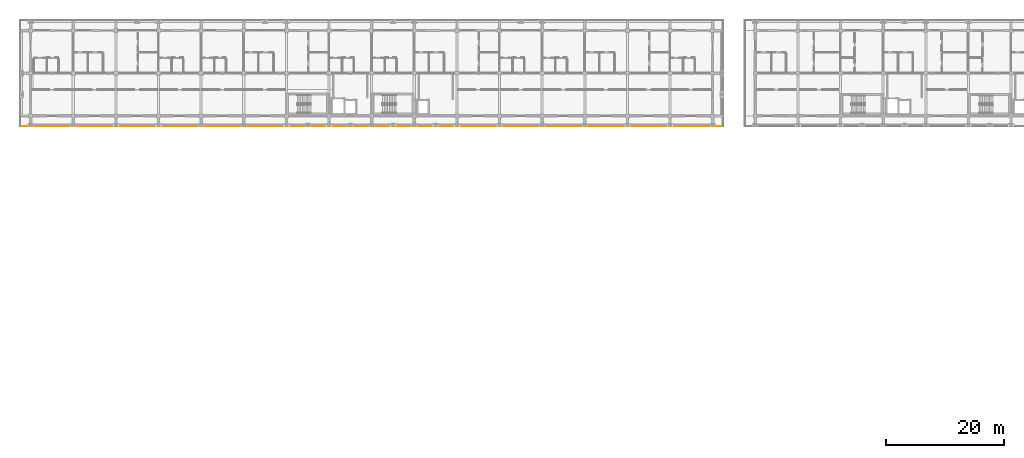
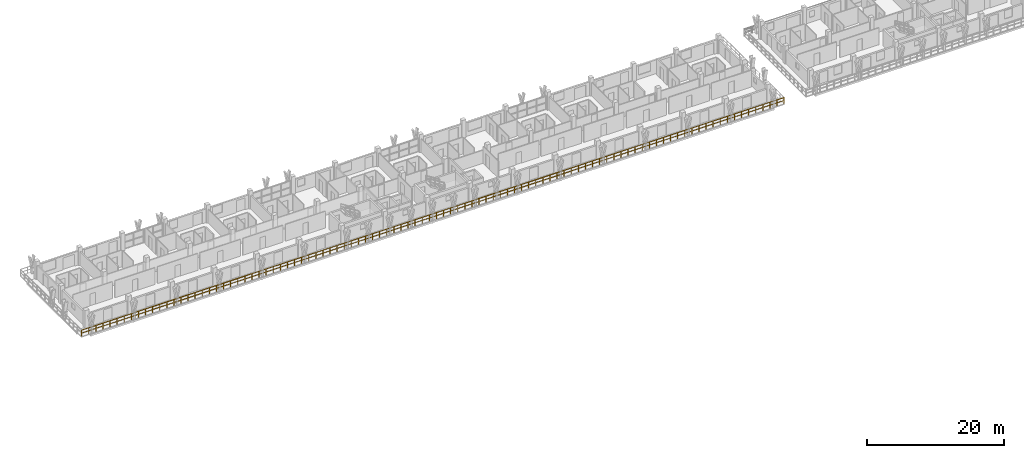
# One storey, part 67 of 76: 1 railing.
"""IFC4 building model written with IfcOpenShell, lengths in metres."""

from ifc_helpers import new_model, si_unit, direction, frame, origin, origin_2d, place, context, subcontext, project, spatial, rectangle, extrude, material, type_object, element, save


model = new_model("IFC4")

# Units and contexts
model_context = context("Model", 3, precision=1e-05, world=origin(), true_north=direction((0.0, 1.0)))
body_context = subcontext(model_context, "Body", "Model", "MODEL_VIEW")
ifc_project = project(units=[si_unit("LENGTHUNIT", "METRE"), si_unit("AREAUNIT", "SQUARE_METRE"), si_unit("VOLUMEUNIT", "CUBIC_METRE"), si_unit("PLANEANGLEUNIT", "RADIAN"), si_unit("MASSUNIT", "GRAM", prefix="KILO")], contexts=[model_context])

# Site, building, storey
site_placement = place(None, origin())
site = spatial("IfcSite", under=ifc_project, at=site_placement, CompositionType="ELEMENT")
building_placement = place(site_placement, origin())
building = spatial("IfcBuilding", under=site, at=building_placement, Name="Suanplinth Sawtooth Commons", CompositionType="ELEMENT")
storey_placement = place(building_placement, frame((0.0, 0.0, 12.199951171875)))
storey = spatial("IfcBuildingStorey", under=building, at=storey_placement, Name="L03", CompositionType="ELEMENT", Elevation=12.199951171875)

# Railing
ifc_material = material(Name="Powder-coated galvanized steel", Category="steel")
railing_type = type_object("IfcRailingType", Name="GR-01", PredefinedType="BALUSTRADE", material=ifc_material)
railing_placement = place(storey_placement, frame((116.93994140625, 106.260009765625, 0.0)))
element("IfcRailing", 1, at=railing_placement, inside=storey, type_object=railing_type, Name="L03 Block A Perimeter Balustrade 4", PredefinedType="BALUSTRADE", context=body_context, shape_type="SweptSolid", body=[
    extrude(rectangle(XDim=0.048095703125, YDim=0.048095703125, at=origin_2d()), frame((0.0, 0.0, 1.09619140625), z_axis=(-1.0, 0.0, 0.0), x_axis=(0.0, -1.0, 0.0)), (0.0, 0.0, 1.0), 118.679931640625),
    extrude(rectangle(XDim=0.03369140625, YDim=0.03369140625, at=origin_2d()), frame((0.0, 0.0, 0.56005859375), z_axis=(-1.0, 0.0, 0.0), x_axis=(0.0, -1.0, 0.0)), (0.0, 0.0, 1.0), 118.679931640625),
    extrude(rectangle(XDim=0.0419921875, YDim=0.0419921875, at=origin_2d()), origin(), (0.0, 0.0, 1.0), 1.072021484375),
    extrude(rectangle(XDim=0.0419921875, YDim=0.0419921875, at=origin_2d()), frame((-1.19873046875, 0.0, 0.0)), (0.0, 0.0, 1.0), 1.072021484375),
    extrude(rectangle(XDim=0.0419921875, YDim=0.0419921875, at=origin_2d()), frame((-2.3974609375, 0.0, 0.0)), (0.0, 0.0, 1.0), 1.072021484375),
    extrude(rectangle(XDim=0.0419921875, YDim=0.0419921875, at=origin_2d()), frame((-3.596435546875, 0.0, 0.0)), (0.0, 0.0, 1.0), 1.072021484375),
    extrude(rectangle(XDim=0.0419921875, YDim=0.0419921875, at=origin_2d()), frame((-4.795166015625, 0.0, 0.0)), (0.0, 0.0, 1.0), 1.072021484375),
    extrude(rectangle(XDim=0.0419921875, YDim=0.0419921875, at=origin_2d()), frame((-5.993896484375, 0.0, 0.0)), (0.0, 0.0, 1.0), 1.072021484375),
    extrude(rectangle(XDim=0.0419921875, YDim=0.0419921875, at=origin_2d()), frame((-7.192626953125, 0.0, 0.0)), (0.0, 0.0, 1.0), 1.072021484375),
    extrude(rectangle(XDim=0.0419921875, YDim=0.0419921875, at=origin_2d()), frame((-8.3916015625, 0.0, 0.0)), (0.0, 0.0, 1.0), 1.072021484375),
    extrude(rectangle(XDim=0.0419921875, YDim=0.0419921875, at=origin_2d()), frame((-9.59033203125, 0.0, 0.0)), (0.0, 0.0, 1.0), 1.072021484375),
    extrude(rectangle(XDim=0.0419921875, YDim=0.0419921875, at=origin_2d()), frame((-10.7890625, 0.0, 0.0)), (0.0, 0.0, 1.0), 1.072021484375),
    extrude(rectangle(XDim=0.0419921875, YDim=0.0419921875, at=origin_2d()), frame((-11.98779296875, 0.0, 0.0)), (0.0, 0.0, 1.0), 1.072021484375),
    extrude(rectangle(XDim=0.0419921875, YDim=0.0419921875, at=origin_2d()), frame((-13.186767578125, 0.0, 0.0)), (0.0, 0.0, 1.0), 1.072021484375),
    extrude(rectangle(XDim=0.0419921875, YDim=0.0419921875, at=origin_2d()), frame((-14.385498046875, 0.0, 0.0)), (0.0, 0.0, 1.0), 1.072021484375),
    extrude(rectangle(XDim=0.0419921875, YDim=0.0419921875, at=origin_2d()), frame((-15.584228515625, 0.0, 0.0)), (0.0, 0.0, 1.0), 1.072021484375),
    extrude(rectangle(XDim=0.0419921875, YDim=0.0419921875, at=origin_2d()), frame((-16.782958984375, 0.0, 0.0)), (0.0, 0.0, 1.0), 1.072021484375),
    extrude(rectangle(XDim=0.0419921875, YDim=0.0419921875, at=origin_2d()), frame((-17.981689453125, 0.0, 0.0)), (0.0, 0.0, 1.0), 1.072021484375),
    extrude(rectangle(XDim=0.0419921875, YDim=0.0419921875, at=origin_2d()), frame((-19.1806640625, 0.0, 0.0)), (0.0, 0.0, 1.0), 1.072021484375),
    extrude(rectangle(XDim=0.0419921875, YDim=0.0419921875, at=origin_2d()), frame((-20.37939453125, 0.0, 0.0)), (0.0, 0.0, 1.0), 1.072021484375),
    extrude(rectangle(XDim=0.0419921875, YDim=0.0419921875, at=origin_2d()), frame((-21.578125, 0.0, 0.0)), (0.0, 0.0, 1.0), 1.072021484375),
    extrude(rectangle(XDim=0.0419921875, YDim=0.0419921875, at=origin_2d()), frame((-22.77685546875, 0.0, 0.0)), (0.0, 0.0, 1.0), 1.072021484375),
    extrude(rectangle(XDim=0.0419921875, YDim=0.0419921875, at=origin_2d()), frame((-23.975830078125, 0.0, 0.0)), (0.0, 0.0, 1.0), 1.072021484375),
    extrude(rectangle(XDim=0.0419921875, YDim=0.0419921875, at=origin_2d()), frame((-25.174560546875, 0.0, 0.0)), (0.0, 0.0, 1.0), 1.072021484375),
    extrude(rectangle(XDim=0.0419921875, YDim=0.0419921875, at=origin_2d()), frame((-26.373291015625, 0.0, 0.0)), (0.0, 0.0, 1.0), 1.072021484375),
    extrude(rectangle(XDim=0.0419921875, YDim=0.0419921875, at=origin_2d()), frame((-27.572021484375, 0.0, 0.0)), (0.0, 0.0, 1.0), 1.072021484375),
    extrude(rectangle(XDim=0.0419921875, YDim=0.0419921875, at=origin_2d()), frame((-28.77099609375, 0.0, 0.0)), (0.0, 0.0, 1.0), 1.072021484375),
    extrude(rectangle(XDim=0.0419921875, YDim=0.0419921875, at=origin_2d()), frame((-29.9697265625, 0.0, 0.0)), (0.0, 0.0, 1.0), 1.072021484375),
    extrude(rectangle(XDim=0.0419921875, YDim=0.0419921875, at=origin_2d()), frame((-31.16845703125, 0.0, 0.0)), (0.0, 0.0, 1.0), 1.072021484375),
    extrude(rectangle(XDim=0.0419921875, YDim=0.0419921875, at=origin_2d()), frame((-32.3671875, 0.0, 0.0)), (0.0, 0.0, 1.0), 1.072021484375),
    extrude(rectangle(XDim=0.0419921875, YDim=0.0419921875, at=origin_2d()), frame((-33.566162109375, 0.0, 0.0)), (0.0, 0.0, 1.0), 1.072021484375),
    extrude(rectangle(XDim=0.0419921875, YDim=0.0419921875, at=origin_2d()), frame((-34.764892578125, 0.0, 0.0)), (0.0, 0.0, 1.0), 1.072021484375),
    extrude(rectangle(XDim=0.0419921875, YDim=0.0419921875, at=origin_2d()), frame((-35.963623046875, 0.0, 0.0)), (0.0, 0.0, 1.0), 1.072021484375),
    extrude(rectangle(XDim=0.0419921875, YDim=0.0419921875, at=origin_2d()), frame((-37.162353515625, 0.0, 0.0)), (0.0, 0.0, 1.0), 1.072021484375),
    extrude(rectangle(XDim=0.0419921875, YDim=0.0419921875, at=origin_2d()), frame((-38.361083984375, 0.0, 0.0)), (0.0, 0.0, 1.0), 1.072021484375),
    extrude(rectangle(XDim=0.0419921875, YDim=0.0419921875, at=origin_2d()), frame((-39.56005859375, 0.0, 0.0)), (0.0, 0.0, 1.0), 1.072021484375),
    extrude(rectangle(XDim=0.0419921875, YDim=0.0419921875, at=origin_2d()), frame((-40.7587890625, 0.0, 0.0)), (0.0, 0.0, 1.0), 1.072021484375),
    extrude(rectangle(XDim=0.0419921875, YDim=0.0419921875, at=origin_2d()), frame((-41.95751953125, 0.0, 0.0)), (0.0, 0.0, 1.0), 1.072021484375),
    extrude(rectangle(XDim=0.0419921875, YDim=0.0419921875, at=origin_2d()), frame((-43.15625, 0.0, 0.0)), (0.0, 0.0, 1.0), 1.072021484375),
    extrude(rectangle(XDim=0.0419921875, YDim=0.0419921875, at=origin_2d()), frame((-44.355224609375, 0.0, 0.0)), (0.0, 0.0, 1.0), 1.072021484375),
    extrude(rectangle(XDim=0.0419921875, YDim=0.0419921875, at=origin_2d()), frame((-45.553955078125, 0.0, 0.0)), (0.0, 0.0, 1.0), 1.072021484375),
    extrude(rectangle(XDim=0.0419921875, YDim=0.0419921875, at=origin_2d()), frame((-46.752685546875, 0.0, 0.0)), (0.0, 0.0, 1.0), 1.072021484375),
    extrude(rectangle(XDim=0.0419921875, YDim=0.0419921875, at=origin_2d()), frame((-47.951416015625, 0.0, 0.0)), (0.0, 0.0, 1.0), 1.072021484375),
    extrude(rectangle(XDim=0.0419921875, YDim=0.0419921875, at=origin_2d()), frame((-49.150390625, 0.0, 0.0)), (0.0, 0.0, 1.0), 1.072021484375),
    extrude(rectangle(XDim=0.0419921875, YDim=0.0419921875, at=origin_2d()), frame((-50.34912109375, 0.0, 0.0)), (0.0, 0.0, 1.0), 1.072021484375),
    extrude(rectangle(XDim=0.0419921875, YDim=0.0419921875, at=origin_2d()), frame((-51.5478515625, 0.0, 0.0)), (0.0, 0.0, 1.0), 1.072021484375),
    extrude(rectangle(XDim=0.0419921875, YDim=0.0419921875, at=origin_2d()), frame((-52.74658203125, 0.0, 0.0)), (0.0, 0.0, 1.0), 1.072021484375),
    extrude(rectangle(XDim=0.0419921875, YDim=0.0419921875, at=origin_2d()), frame((-53.9453125, 0.0, 0.0)), (0.0, 0.0, 1.0), 1.072021484375),
    extrude(rectangle(XDim=0.0419921875, YDim=0.0419921875, at=origin_2d()), frame((-55.144287109375, 0.0, 0.0)), (0.0, 0.0, 1.0), 1.072021484375),
    extrude(rectangle(XDim=0.0419921875, YDim=0.0419921875, at=origin_2d()), frame((-56.343017578125, 0.0, 0.0)), (0.0, 0.0, 1.0), 1.072021484375),
    extrude(rectangle(XDim=0.0419921875, YDim=0.0419921875, at=origin_2d()), frame((-57.541748046875, 0.0, 0.0)), (0.0, 0.0, 1.0), 1.072021484375),
    extrude(rectangle(XDim=0.0419921875, YDim=0.0419921875, at=origin_2d()), frame((-58.740478515625, 0.0, 0.0)), (0.0, 0.0, 1.0), 1.072021484375),
    extrude(rectangle(XDim=0.0419921875, YDim=0.0419921875, at=origin_2d()), frame((-59.939453125, 0.0, 0.0)), (0.0, 0.0, 1.0), 1.072021484375),
    extrude(rectangle(XDim=0.0419921875, YDim=0.0419921875, at=origin_2d()), frame((-61.13818359375, 0.0, 0.0)), (0.0, 0.0, 1.0), 1.072021484375),
    extrude(rectangle(XDim=0.0419921875, YDim=0.0419921875, at=origin_2d()), frame((-62.3369140625, 0.0, 0.0)), (0.0, 0.0, 1.0), 1.072021484375),
    extrude(rectangle(XDim=0.0419921875, YDim=0.0419921875, at=origin_2d()), frame((-63.53564453125, 0.0, 0.0)), (0.0, 0.0, 1.0), 1.072021484375),
    extrude(rectangle(XDim=0.0419921875, YDim=0.0419921875, at=origin_2d()), frame((-64.734619140625, 0.0, 0.0)), (0.0, 0.0, 1.0), 1.072021484375),
    extrude(rectangle(XDim=0.0419921875, YDim=0.0419921875, at=origin_2d()), frame((-65.933349609375, 0.0, 0.0)), (0.0, 0.0, 1.0), 1.072021484375),
    extrude(rectangle(XDim=0.0419921875, YDim=0.0419921875, at=origin_2d()), frame((-67.132080078125, 0.0, 0.0)), (0.0, 0.0, 1.0), 1.072021484375),
    extrude(rectangle(XDim=0.0419921875, YDim=0.0419921875, at=origin_2d()), frame((-68.330810546875, 0.0, 0.0)), (0.0, 0.0, 1.0), 1.072021484375),
    extrude(rectangle(XDim=0.0419921875, YDim=0.0419921875, at=origin_2d()), frame((-69.529541015625, 0.0, 0.0)), (0.0, 0.0, 1.0), 1.072021484375),
    extrude(rectangle(XDim=0.0419921875, YDim=0.0419921875, at=origin_2d()), frame((-70.728515625, 0.0, 0.0)), (0.0, 0.0, 1.0), 1.072021484375),
    extrude(rectangle(XDim=0.0419921875, YDim=0.0419921875, at=origin_2d()), frame((-71.92724609375, 0.0, 0.0)), (0.0, 0.0, 1.0), 1.072021484375),
    extrude(rectangle(XDim=0.0419921875, YDim=0.0419921875, at=origin_2d()), frame((-73.1259765625, 0.0, 0.0)), (0.0, 0.0, 1.0), 1.072021484375),
    extrude(rectangle(XDim=0.0419921875, YDim=0.0419921875, at=origin_2d()), frame((-74.32470703125, 0.0, 0.0)), (0.0, 0.0, 1.0), 1.072021484375),
    extrude(rectangle(XDim=0.0419921875, YDim=0.0419921875, at=origin_2d()), frame((-75.523681640625, 0.0, 0.0)), (0.0, 0.0, 1.0), 1.072021484375),
    extrude(rectangle(XDim=0.0419921875, YDim=0.0419921875, at=origin_2d()), frame((-76.722412109375, 0.0, 0.0)), (0.0, 0.0, 1.0), 1.072021484375),
    extrude(rectangle(XDim=0.0419921875, YDim=0.0419921875, at=origin_2d()), frame((-77.921142578125, 0.0, 0.0)), (0.0, 0.0, 1.0), 1.072021484375),
    extrude(rectangle(XDim=0.0419921875, YDim=0.0419921875, at=origin_2d()), frame((-79.119873046875, 0.0, 0.0)), (0.0, 0.0, 1.0), 1.072021484375),
    extrude(rectangle(XDim=0.0419921875, YDim=0.0419921875, at=origin_2d()), frame((-80.31884765625, 0.0, 0.0)), (0.0, 0.0, 1.0), 1.072021484375),
    extrude(rectangle(XDim=0.0419921875, YDim=0.0419921875, at=origin_2d()), frame((-81.517578125, 0.0, 0.0)), (0.0, 0.0, 1.0), 1.072021484375),
    extrude(rectangle(XDim=0.0419921875, YDim=0.0419921875, at=origin_2d()), frame((-82.71630859375, 0.0, 0.0)), (0.0, 0.0, 1.0), 1.072021484375),
    extrude(rectangle(XDim=0.0419921875, YDim=0.0419921875, at=origin_2d()), frame((-83.9150390625, 0.0, 0.0)), (0.0, 0.0, 1.0), 1.072021484375),
    extrude(rectangle(XDim=0.0419921875, YDim=0.0419921875, at=origin_2d()), frame((-85.11376953125, 0.0, 0.0)), (0.0, 0.0, 1.0), 1.072021484375),
    extrude(rectangle(XDim=0.0419921875, YDim=0.0419921875, at=origin_2d()), frame((-86.312744140625, 0.0, 0.0)), (0.0, 0.0, 1.0), 1.072021484375),
    extrude(rectangle(XDim=0.0419921875, YDim=0.0419921875, at=origin_2d()), frame((-87.511474609375, 0.0, 0.0)), (0.0, 0.0, 1.0), 1.072021484375),
    extrude(rectangle(XDim=0.0419921875, YDim=0.0419921875, at=origin_2d()), frame((-88.710205078125, 0.0, 0.0)), (0.0, 0.0, 1.0), 1.072021484375),
    extrude(rectangle(XDim=0.0419921875, YDim=0.0419921875, at=origin_2d()), frame((-89.908935546875, 0.0, 0.0)), (0.0, 0.0, 1.0), 1.072021484375),
    extrude(rectangle(XDim=0.0419921875, YDim=0.0419921875, at=origin_2d()), frame((-91.10791015625, 0.0, 0.0)), (0.0, 0.0, 1.0), 1.072021484375),
    extrude(rectangle(XDim=0.0419921875, YDim=0.0419921875, at=origin_2d()), frame((-92.306640625, 0.0, 0.0)), (0.0, 0.0, 1.0), 1.072021484375),
    extrude(rectangle(XDim=0.0419921875, YDim=0.0419921875, at=origin_2d()), frame((-93.50537109375, 0.0, 0.0)), (0.0, 0.0, 1.0), 1.072021484375),
    extrude(rectangle(XDim=0.0419921875, YDim=0.0419921875, at=origin_2d()), frame((-94.7041015625, 0.0, 0.0)), (0.0, 0.0, 1.0), 1.072021484375),
    extrude(rectangle(XDim=0.0419921875, YDim=0.0419921875, at=origin_2d()), frame((-95.903076171875, 0.0, 0.0)), (0.0, 0.0, 1.0), 1.072021484375),
    extrude(rectangle(XDim=0.0419921875, YDim=0.0419921875, at=origin_2d()), frame((-97.101806640625, 0.0, 0.0)), (0.0, 0.0, 1.0), 1.072021484375),
    extrude(rectangle(XDim=0.0419921875, YDim=0.0419921875, at=origin_2d()), frame((-98.300537109375, 0.0, 0.0)), (0.0, 0.0, 1.0), 1.072021484375),
    extrude(rectangle(XDim=0.0419921875, YDim=0.0419921875, at=origin_2d()), frame((-99.499267578125, 0.0, 0.0)), (0.0, 0.0, 1.0), 1.072021484375),
    extrude(rectangle(XDim=0.0419921875, YDim=0.0419921875, at=origin_2d()), frame((-100.6982421875, 0.0, 0.0)), (0.0, 0.0, 1.0), 1.072021484375),
    extrude(rectangle(XDim=0.0419921875, YDim=0.0419921875, at=origin_2d()), frame((-101.89697265625, 0.0, 0.0)), (0.0, 0.0, 1.0), 1.072021484375),
    extrude(rectangle(XDim=0.0419921875, YDim=0.0419921875, at=origin_2d()), frame((-103.095703125, 0.0, 0.0)), (0.0, 0.0, 1.0), 1.072021484375),
    extrude(rectangle(XDim=0.0419921875, YDim=0.0419921875, at=origin_2d()), frame((-104.29443359375, 0.0, 0.0)), (0.0, 0.0, 1.0), 1.072021484375),
    extrude(rectangle(XDim=0.0419921875, YDim=0.0419921875, at=origin_2d()), frame((-105.4931640625, 0.0, 0.0)), (0.0, 0.0, 1.0), 1.072021484375),
    extrude(rectangle(XDim=0.0419921875, YDim=0.0419921875, at=origin_2d()), frame((-106.692138671875, 0.0, 0.0)), (0.0, 0.0, 1.0), 1.072021484375),
    extrude(rectangle(XDim=0.0419921875, YDim=0.0419921875, at=origin_2d()), frame((-107.890869140625, 0.0, 0.0)), (0.0, 0.0, 1.0), 1.072021484375),
    extrude(rectangle(XDim=0.0419921875, YDim=0.0419921875, at=origin_2d()), frame((-109.089599609375, 0.0, 0.0)), (0.0, 0.0, 1.0), 1.072021484375),
    extrude(rectangle(XDim=0.0419921875, YDim=0.0419921875, at=origin_2d()), frame((-110.288330078125, 0.0, 0.0)), (0.0, 0.0, 1.0), 1.072021484375),
    extrude(rectangle(XDim=0.0419921875, YDim=0.0419921875, at=origin_2d()), frame((-111.4873046875, 0.0, 0.0)), (0.0, 0.0, 1.0), 1.072021484375),
    extrude(rectangle(XDim=0.0419921875, YDim=0.0419921875, at=origin_2d()), frame((-112.68603515625, 0.0, 0.0)), (0.0, 0.0, 1.0), 1.072021484375),
    extrude(rectangle(XDim=0.0419921875, YDim=0.0419921875, at=origin_2d()), frame((-113.884765625, 0.0, 0.0)), (0.0, 0.0, 1.0), 1.072021484375),
    extrude(rectangle(XDim=0.0419921875, YDim=0.0419921875, at=origin_2d()), frame((-115.08349609375, 0.0, 0.0)), (0.0, 0.0, 1.0), 1.072021484375),
    extrude(rectangle(XDim=0.0419921875, YDim=0.0419921875, at=origin_2d()), frame((-116.282470703125, 0.0, 0.0)), (0.0, 0.0, 1.0), 1.072021484375),
    extrude(rectangle(XDim=0.0419921875, YDim=0.0419921875, at=origin_2d()), frame((-117.481201171875, 0.0, 0.0)), (0.0, 0.0, 1.0), 1.072021484375),
    extrude(rectangle(XDim=0.0419921875, YDim=0.0419921875, at=origin_2d()), frame((-118.679931640625, 0.0, 0.0)), (0.0, 0.0, 1.0), 1.072021484375),
])

save(model, "model.ifc")
